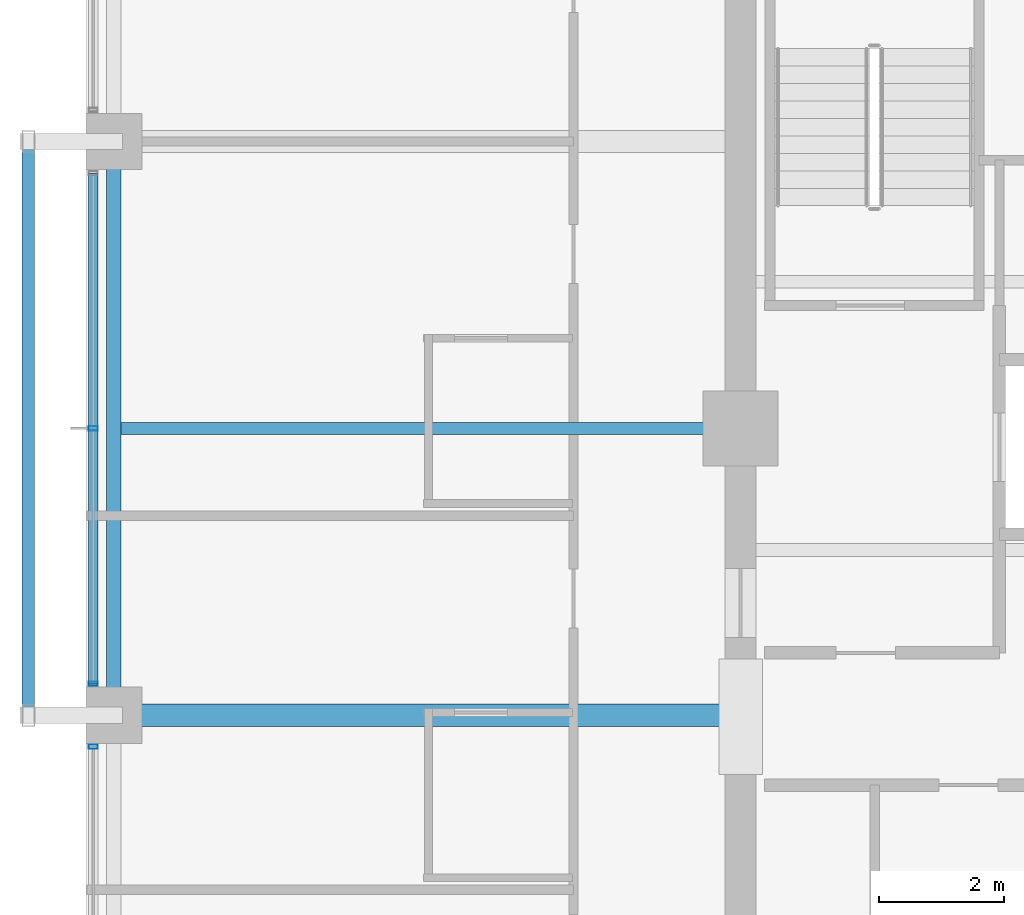
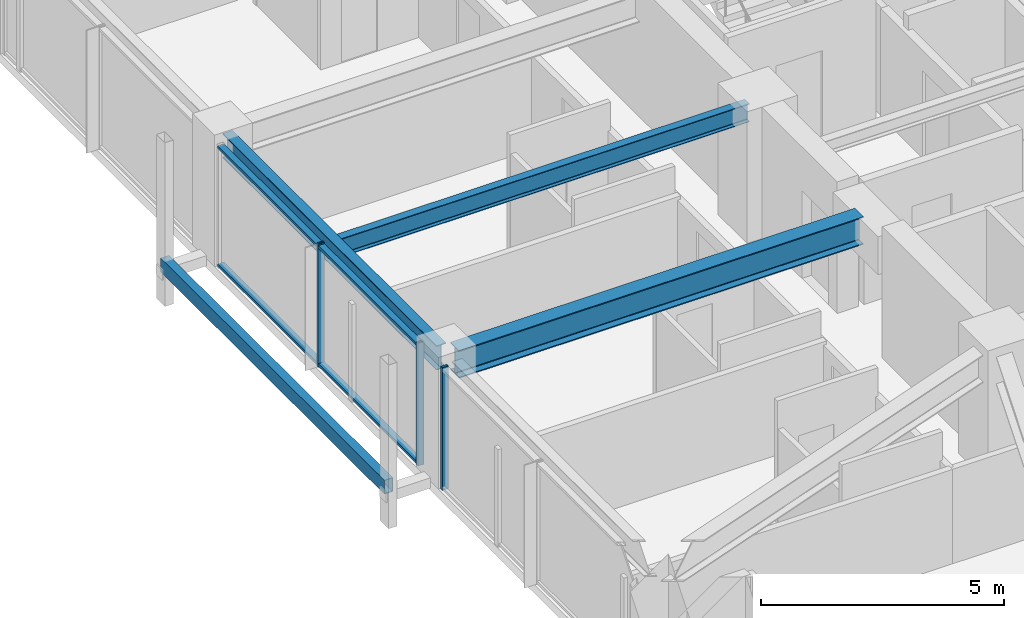
# One storey, part 8 of 37: 6 members, 3 beams, 2 elements without a shape of their own.
"""IFC4 building model written with IfcOpenShell, lengths in metres."""

from ifc_helpers import new_model, si_unit, direction, frame, origin, origin_2d, place, context, subcontext, project, spatial, hollow_rectangle, i_section, extrude, material, material_profile, profile_set, type_object, element, aggregate, save


model = new_model("IFC4")

# Units and contexts
model_context = context("Model", 3, precision=1e-05, world=origin(), true_north=direction((0.0, 1.0)))
body_context = subcontext(model_context, "Body", "Model", "MODEL_VIEW")
ifc_project = project(units=[si_unit("LENGTHUNIT", "METRE"), si_unit("AREAUNIT", "SQUARE_METRE"), si_unit("VOLUMEUNIT", "CUBIC_METRE"), si_unit("PLANEANGLEUNIT", "RADIAN"), si_unit("MASSUNIT", "GRAM", prefix="KILO")], contexts=[model_context])

# Site, building, storey
site_placement = place(None, origin())
site = spatial("IfcSite", under=ifc_project, at=site_placement, CompositionType="ELEMENT")
building_placement = place(site_placement, origin())
building = spatial("IfcBuilding", under=site, at=building_placement, Name="Kolvaren Belvedere", CompositionType="ELEMENT")
storey_placement = place(building_placement, frame((0.0, 0.0, 173.39990234375)))
storey = spatial("IfcBuildingStorey", under=building, at=storey_placement, Name="L50", CompositionType="ELEMENT", Elevation=173.39990234375)

# Beams
ifc_material_1 = material(Name="Structural steel ASTM A992 Grade 50", Category="steel")
ifc_material_profile_1 = material_profile(ifc_material_1, i_section(OverallWidth=0.35498046875, OverallDepth=0.696044921875, WebThickness=0.015380859375, FlangeThickness=0.02490234375, FilletRadius=0.02197265625, at=origin_2d()), Name="W27X146")
ifc_profile_set_1 = profile_set([ifc_material_profile_1], Name="Structural steel ASTM A992 Grade 50")
beam_type_1 = type_object("IfcBeamType", Name="BM-GIRD-W27X146", PredefinedType="BEAM", material=ifc_profile_set_1)
beam_1_placement = place(storey_placement, frame((-10.14990234375, -4.60009765625, 2.732177734375), z_axis=(-1.0, 0.0, 0.0), x_axis=(0.0, -1.0, 0.0)))
element("IfcBeam", 1, at=beam_1_placement, inside=storey, type_object=beam_type_1, Name="L50 West Radial Girder M", PredefinedType="BEAM", context=body_context, shape_type="SweptSolid", body=[
    extrude(i_section(OverallWidth=0.35498046875, OverallDepth=0.696044921875, WebThickness=0.015380859375, FlangeThickness=0.02490234375, FilletRadius=0.02197265625, at=origin_2d()), origin(), (0.0, 0.0, 1.0), 9.59765625),
])
ifc_material_2 = material(Name="Structural steel ASTM A992 Grade 50", Category="steel")
ifc_material_profile_2 = material_profile(ifc_material_2, i_section(OverallWidth=0.19091796875, OverallDepth=0.4599609375, WebThickness=0.010009765625, FlangeThickness=0.01611328125, FilletRadius=0.014892578125, at=origin_2d()), Name="W18X55")
ifc_profile_set_2 = profile_set([ifc_material_profile_2], Name="Structural steel ASTM A992 Grade 50")
beam_type_2 = type_object("IfcBeamType", Name="BM-JOIST-W18X55", PredefinedType="BEAM", material=ifc_profile_set_2)
beam_2_placement = place(storey_placement, frame((-10.14990234375, 0.0, 2.85009765625), z_axis=(-1.0, 0.0, 0.0), x_axis=(0.0, -1.0, 0.0)))
element("IfcBeam", 2, at=beam_2_placement, inside=storey, type_object=beam_type_2, Name="L50 West Centre Floor Beam", PredefinedType="BEAM", context=body_context, shape_type="SweptSolid", body=[
    extrude(i_section(OverallWidth=0.19091796875, OverallDepth=0.4599609375, WebThickness=0.010009765625, FlangeThickness=0.01611328125, FilletRadius=0.014892578125, at=origin_2d()), origin(), (0.0, 0.0, 1.0), 9.685546875),
])
ifc_material_3 = material(Name="Structural steel ASTM A992 Grade 50", Category="steel")
ifc_material_profile_3 = material_profile(ifc_material_3, i_section(OverallWidth=0.22900390625, OverallDepth=0.612060546875, WebThickness=0.011962890625, FlangeThickness=0.01953125, FilletRadius=0.01806640625, at=origin_2d()), Name="W24X84")
ifc_profile_set_3 = profile_set([ifc_material_profile_3], Name="Structural steel ASTM A992 Grade 50")
beam_type_3 = type_object("IfcBeamType", Name="BM-SPAN-W24X84", PredefinedType="SPANDREL", material=ifc_profile_set_3)
beam_3_placement = place(storey_placement, frame((-19.949951171875, 4.3974609375, 2.774169921875), z_axis=(0.0, -1.0, 0.0), x_axis=(1.0, 0.0, 0.0)))
element("IfcBeam", 3, at=beam_3_placement, inside=storey, type_object=beam_type_3, Name="L50 Perimeter Spandrel W3-W2", PredefinedType="SPANDREL", context=body_context, shape_type="SweptSolid", body=[
    extrude(i_section(OverallWidth=0.22900390625, OverallDepth=0.612060546875, WebThickness=0.011962890625, FlangeThickness=0.01953125, FilletRadius=0.01806640625, at=origin_2d()), origin(), (0.0, 0.0, 1.0), 8.794921875),
])

# Curtain wall, member
ifc_material_4 = material(Name="Anodised pale-metal aluminium AA 6063-T6", Category="aluminium")
curtain_wall_type = type_object("IfcCurtainWallType", Name="CW-Z5-HIGH", PredefinedType="NOTDEFINED", material=ifc_material_4)
curtain_wall_1_placement = place(storey_placement, origin())
curtain_wall_1 = element("IfcCurtainWall", 4, at=curtain_wall_1_placement, inside=storey, type_object=curtain_wall_type, Name="L50 Unitised Curtain Wall FCW-L50-W-B1", PredefinedType="NOTDEFINED")
ifc_material_5 = material(Name="Anodised pale-metal aluminium AA 6063-T6", Category="aluminium")
ifc_material_profile_4 = material_profile(ifc_material_5, hollow_rectangle(XDim=0.070068359375, YDim=0.14990234375, WallThickness=0.004150390625, at=origin_2d()), Name="ALU-MUL-150X70")
ifc_profile_set_4 = profile_set([ifc_material_profile_4], Name="Anodised pale-metal aluminium AA 6063-T6")
member_type_1 = type_object("IfcMemberType", Name="CW-MUL-150", PredefinedType="MULLION", material=ifc_profile_set_4)
member_1_placement = place(storey_placement, frame((-20.280029296875, -5.10498046875, 0.0), z_axis=(0.0, 0.0, 1.0), x_axis=(0.0, 1.0, 0.0)))
member_1 = element("IfcMember", 5, at=member_1_placement, type_object=member_type_1, Name="FCW-L50-W-B1 Unitised Mullion 3", PredefinedType="MULLION", context=body_context, shape_type="SweptSolid", body=[
    extrude(hollow_rectangle(XDim=0.070068359375, YDim=0.14990234375, WallThickness=0.004150390625, at=origin_2d()), origin(), (0.0, 0.0, 1.0), 3.080078125),
])
aggregate(curtain_wall_1, [member_1])

# Curtain wall, members
curtain_wall_2_placement = place(storey_placement, origin())
curtain_wall_2 = element("IfcCurtainWall", 6, at=curtain_wall_2_placement, inside=storey, type_object=curtain_wall_type, Name="L50 Unitised Curtain Wall FCW-L50-W-B2", PredefinedType="NOTDEFINED")
member_2_placement = place(storey_placement, frame((-20.280029296875, -4.094970703125, 0.0), z_axis=(0.0, 0.0, 1.0), x_axis=(0.0, 1.0, 0.0)))
member_2 = element("IfcMember", 7, at=member_2_placement, type_object=member_type_1, Name="FCW-L50-W-B2 Unitised Mullion 1", PredefinedType="MULLION", context=body_context, shape_type="SweptSolid", body=[
    extrude(hollow_rectangle(XDim=0.070068359375, YDim=0.14990234375, WallThickness=0.004150390625, at=origin_2d()), origin(), (0.0, 0.0, 1.0), 3.080078125),
])
member_3_placement = place(storey_placement, frame((-20.280029296875, 0.0, 0.0), z_axis=(0.0, 0.0, 1.0), x_axis=(0.0, 1.0, 0.0)))
member_3 = element("IfcMember", 8, at=member_3_placement, type_object=member_type_1, Name="FCW-L50-W-B2 Unitised Mullion 2", PredefinedType="MULLION", context=body_context, shape_type="SweptSolid", body=[
    extrude(hollow_rectangle(XDim=0.070068359375, YDim=0.14990234375, WallThickness=0.004150390625, at=origin_2d()), origin(), (0.0, 0.0, 1.0), 3.080078125),
])
ifc_material_6 = material(Name="Anodised pale-metal aluminium AA 6063-T6", Category="aluminium")
ifc_material_profile_5 = material_profile(ifc_material_6, hollow_rectangle(XDim=0.06494140625, YDim=0.14990234375, WallThickness=0.00390625, at=origin_2d()), Name="ALU-TRN-150X65")
ifc_profile_set_5 = profile_set([ifc_material_profile_5], Name="Anodised pale-metal aluminium AA 6063-T6")
member_type_2 = type_object("IfcMemberType", Name="CW-TRN-150", PredefinedType="USERDEFINED", material=ifc_profile_set_5)
member_4_placement = place(storey_placement, frame((-20.280029296875, -4.094970703125, 0.06005859375), z_axis=(0.0, 1.0, 0.0), x_axis=(0.0, 0.0, 1.0)))
member_4 = element("IfcMember", 9, at=member_4_placement, type_object=member_type_2, Name="FCW-L50-W-B2 Sill Transom", ObjectType="TRANSOM", PredefinedType="USERDEFINED", context=body_context, shape_type="SweptSolid", body=[
    extrude(hollow_rectangle(XDim=0.06494140625, YDim=0.14990234375, WallThickness=0.00390625, at=origin_2d()), origin(), (0.0, 0.0, 1.0), 8.18994140625),
])
member_5_placement = place(storey_placement, frame((-20.280029296875, -4.094970703125, 3.02001953125), z_axis=(0.0, 1.0, 0.0), x_axis=(0.0, 0.0, 1.0)))
member_5 = element("IfcMember", 10, at=member_5_placement, type_object=member_type_2, Name="FCW-L50-W-B2 Head Transom", ObjectType="TRANSOM", PredefinedType="USERDEFINED", context=body_context, shape_type="SweptSolid", body=[
    extrude(hollow_rectangle(XDim=0.06494140625, YDim=0.14990234375, WallThickness=0.00390625, at=origin_2d()), origin(), (0.0, 0.0, 1.0), 8.18994140625),
])
aggregate(curtain_wall_2, [member_2, member_3, member_4, member_5])

# Member
ifc_material_7 = material(Name="Anodised pale-metal aluminium AA 6063-T6", Category="aluminium")
ifc_material_profile_6 = material_profile(ifc_material_7, hollow_rectangle(XDim=0.199951171875, YDim=0.35009765625, WallThickness=0.007568359375, at=origin_2d()), Name="ALU-PF-350X200")
ifc_profile_set_6 = profile_set([ifc_material_profile_6], Name="Anodised pale-metal aluminium AA 6063-T6")
member_type_3 = type_object("IfcMemberType", Name="PF-FRAME-350", PredefinedType="USERDEFINED", material=ifc_profile_set_6)
member_6_placement = place(storey_placement, frame((-21.320068359375, -4.60009765625, 0.130126953125), z_axis=(0.0, 1.0, 0.0), x_axis=(-1.0, 0.0, 0.0)))
element("IfcMember", 11, at=member_6_placement, inside=storey, type_object=member_type_3, Name="L50 Outboard Picture-Frame Sill W", ObjectType="PICTURE FRAME FIN", PredefinedType="USERDEFINED", context=body_context, shape_type="SweptSolid", body=[
    extrude(hollow_rectangle(XDim=0.199951171875, YDim=0.35009765625, WallThickness=0.007568359375, at=origin_2d()), origin(), (0.0, 0.0, 1.0), 9.2001953125),
])

save(model, "model.ifc")
